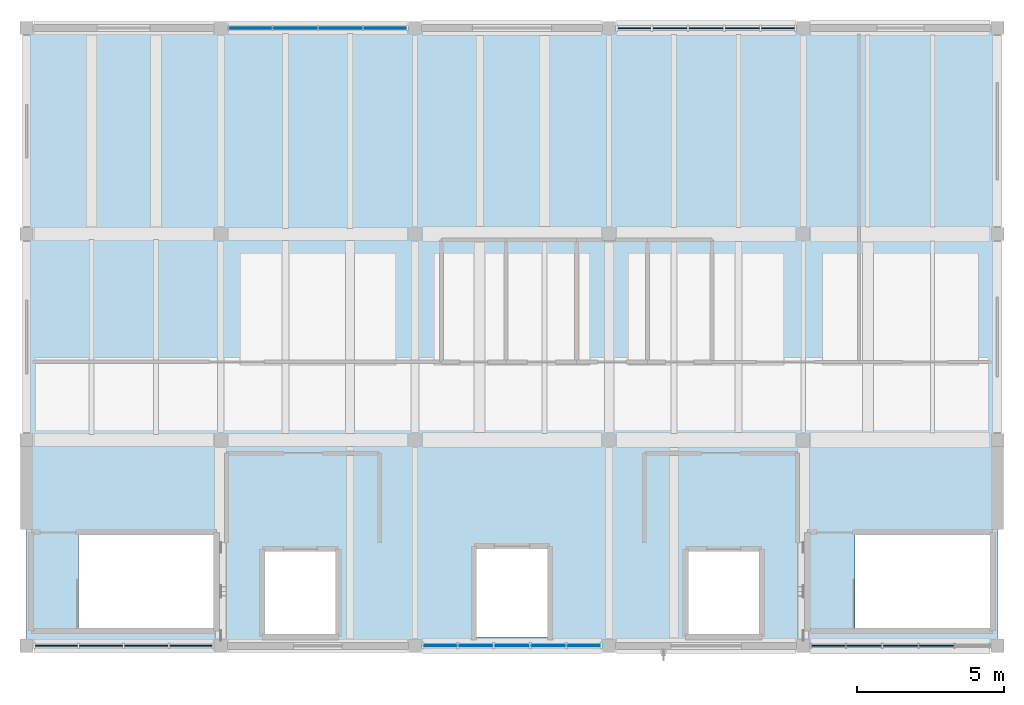
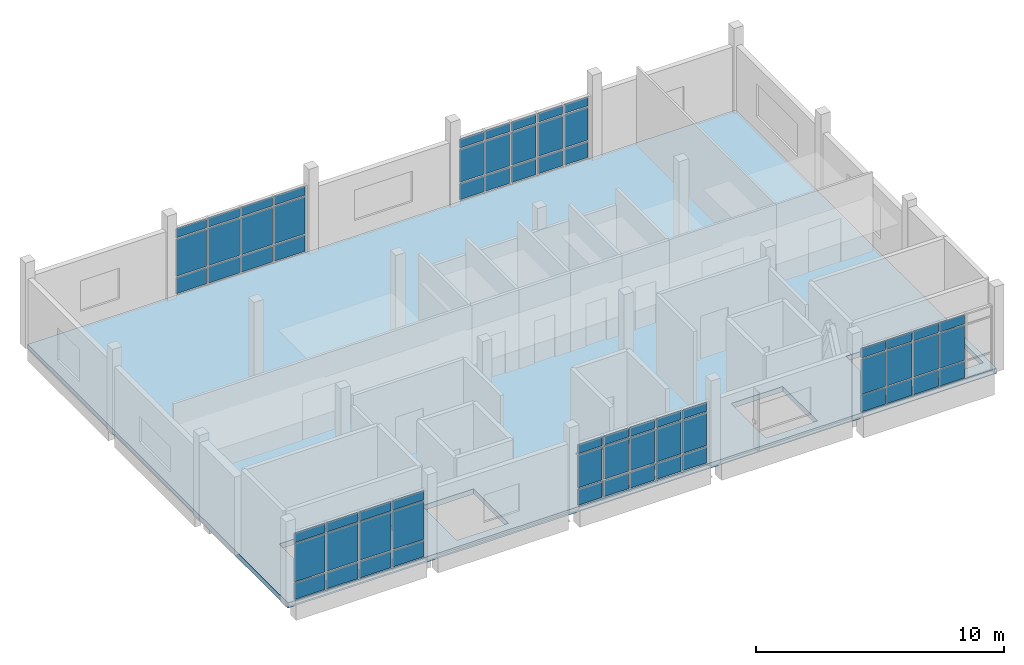
# One storey, part 6 of 10: 66 plates, 1 slab, 5 elements without a shape of their own.
"""IFC4 building model written with IfcOpenShell, lengths in metres."""

from ifc_helpers import new_model, si_unit, direction, frame, origin, origin_2d, place, context, subcontext, project, spatial, polyline, rectangle, outline, extrude, material, layer, layer_set, type_object, element, aggregate, save


model = new_model("IFC4")

# Units and contexts
model_context = context("Model", 3, precision=1e-05, world=origin(), true_north=direction((0.0, 1.0)))
body_context = subcontext(model_context, "Body", "Model", "MODEL_VIEW")
ifc_project = project(units=[si_unit("LENGTHUNIT", "METRE"), si_unit("AREAUNIT", "SQUARE_METRE"), si_unit("VOLUMEUNIT", "CUBIC_METRE"), si_unit("PLANEANGLEUNIT", "RADIAN"), si_unit("MASSUNIT", "GRAM", prefix="KILO")], contexts=[model_context])

# Site, building, storey
site_placement = place(None, origin())
site = spatial("IfcSite", under=ifc_project, at=site_placement, CompositionType="ELEMENT")
building_placement = place(site_placement, origin())
building = spatial("IfcBuilding", under=site, at=building_placement, Name="Ciguamira Faculty of Natural Sciences", CompositionType="ELEMENT")
storey_placement = place(building_placement, frame((0.0, 0.0, 46.199951171875)))
storey = spatial("IfcBuildingStorey", under=building, at=storey_placement, Name="L11", CompositionType="ELEMENT", Elevation=46.199951171875)

# Curtain wall, plates
ifc_material_1 = material(Name="Anodized aluminium curtain wall", Category="aluminium")
curtain_wall_type_1 = type_object("IfcCurtainWallType", Name="CurtainWall_CW-03", PredefinedType="USERDEFINED", material=ifc_material_1)
curtain_wall_1_placement = place(storey_placement, origin())
curtain_wall_1 = element("IfcCurtainWall", 1, at=curtain_wall_1_placement, inside=storey, type_object=curtain_wall_type_1, Name="L11 unitised curtain wall 0171", ObjectType="UNITISED CURTAIN WALL", PredefinedType="USERDEFINED")
ifc_material_2 = material(Name="Low-E laminated solar glass", Category="glass")
ifc_layer_1 = layer(ifc_material_2, 0.028076171875, Name="Low-E laminated solar glass")
ifc_layer_set_1 = layer_set([ifc_layer_1], Name="Low-E laminated solar glass")
plate_type_1 = type_object("IfcPlateType", Name="CWPanel_CWP-01", PredefinedType="CURTAIN_PANEL", material=ifc_layer_set_1)
plate_1_placement = place(storey_placement, frame((84.56005859375, 94.0, 0.080078125), z_axis=(0.0, 0.0, 1.0), x_axis=(1.0, 0.0, 0.0)))
plate_1 = element("IfcPlate", 2, at=plate_1_placement, type_object=plate_type_1, Name="CW-03 panel 1.1", PredefinedType="CURTAIN_PANEL", context=body_context, shape_type="SweptSolid", body=[
    extrude(rectangle(XDim=1.110107421875, YDim=0.028076171875, at=origin_2d()), origin(), (0.0, 0.0, 1.0), 0.780029296875),
])
plate_2_placement = place(storey_placement, frame((84.56005859375, 94.0, 0.93994140625), z_axis=(0.0, 0.0, 1.0), x_axis=(1.0, 0.0, 0.0)))
plate_2 = element("IfcPlate", 3, at=plate_2_placement, type_object=plate_type_1, Name="CW-03 panel 1.2", PredefinedType="CURTAIN_PANEL", context=body_context, shape_type="SweptSolid", body=[
    extrude(rectangle(XDim=1.110107421875, YDim=0.028076171875, at=origin_2d()), origin(), (0.0, 0.0, 1.0), 1.60498046875),
])
plate_3_placement = place(storey_placement, frame((84.56005859375, 94.0, 2.625), z_axis=(0.0, 0.0, 1.0), x_axis=(1.0, 0.0, 0.0)))
plate_3 = element("IfcPlate", 4, at=plate_3_placement, type_object=plate_type_1, Name="CW-03 panel 1.3", PredefinedType="CURTAIN_PANEL", context=body_context, shape_type="SweptSolid", body=[
    extrude(rectangle(XDim=1.110107421875, YDim=0.028076171875, at=origin_2d()), origin(), (0.0, 0.0, 1.0), 0.429931640625),
])
plate_4_placement = place(storey_placement, frame((85.77001953125, 94.0, 0.080078125), z_axis=(0.0, 0.0, 1.0), x_axis=(1.0, 0.0, 0.0)))
plate_4 = element("IfcPlate", 5, at=plate_4_placement, type_object=plate_type_1, Name="CW-03 panel 2.1", PredefinedType="CURTAIN_PANEL", context=body_context, shape_type="SweptSolid", body=[
    extrude(rectangle(XDim=1.14990234375, YDim=0.028076171875, at=origin_2d()), origin(), (0.0, 0.0, 1.0), 0.780029296875),
])
plate_5_placement = place(storey_placement, frame((85.77001953125, 94.0, 0.93994140625), z_axis=(0.0, 0.0, 1.0), x_axis=(1.0, 0.0, 0.0)))
plate_5 = element("IfcPlate", 6, at=plate_5_placement, type_object=plate_type_1, Name="CW-03 panel 2.2", PredefinedType="CURTAIN_PANEL", context=body_context, shape_type="SweptSolid", body=[
    extrude(rectangle(XDim=1.14990234375, YDim=0.028076171875, at=origin_2d()), origin(), (0.0, 0.0, 1.0), 1.60498046875),
])
plate_6_placement = place(storey_placement, frame((85.77001953125, 94.0, 2.625), z_axis=(0.0, 0.0, 1.0), x_axis=(1.0, 0.0, 0.0)))
plate_6 = element("IfcPlate", 7, at=plate_6_placement, type_object=plate_type_1, Name="CW-03 panel 2.3", PredefinedType="CURTAIN_PANEL", context=body_context, shape_type="SweptSolid", body=[
    extrude(rectangle(XDim=1.14990234375, YDim=0.028076171875, at=origin_2d()), origin(), (0.0, 0.0, 1.0), 0.429931640625),
])
plate_7_placement = place(storey_placement, frame((87.0, 94.0, 0.080078125), z_axis=(0.0, 0.0, 1.0), x_axis=(1.0, 0.0, 0.0)))
plate_7 = element("IfcPlate", 8, at=plate_7_placement, type_object=plate_type_1, Name="CW-03 panel 3.1", PredefinedType="CURTAIN_PANEL", context=body_context, shape_type="SweptSolid", body=[
    extrude(rectangle(XDim=1.14990234375, YDim=0.028076171875, at=origin_2d()), origin(), (0.0, 0.0, 1.0), 0.780029296875),
])
plate_8_placement = place(storey_placement, frame((87.0, 94.0, 0.93994140625), z_axis=(0.0, 0.0, 1.0), x_axis=(1.0, 0.0, 0.0)))
plate_8 = element("IfcPlate", 9, at=plate_8_placement, type_object=plate_type_1, Name="CW-03 panel 3.2", PredefinedType="CURTAIN_PANEL", context=body_context, shape_type="SweptSolid", body=[
    extrude(rectangle(XDim=1.14990234375, YDim=0.028076171875, at=origin_2d()), origin(), (0.0, 0.0, 1.0), 1.60498046875),
])
plate_9_placement = place(storey_placement, frame((87.0, 94.0, 2.625), z_axis=(0.0, 0.0, 1.0), x_axis=(1.0, 0.0, 0.0)))
plate_9 = element("IfcPlate", 10, at=plate_9_placement, type_object=plate_type_1, Name="CW-03 panel 3.3", PredefinedType="CURTAIN_PANEL", context=body_context, shape_type="SweptSolid", body=[
    extrude(rectangle(XDim=1.14990234375, YDim=0.028076171875, at=origin_2d()), origin(), (0.0, 0.0, 1.0), 0.429931640625),
])
plate_10_placement = place(storey_placement, frame((88.22998046875, 94.0, 0.080078125), z_axis=(0.0, 0.0, 1.0), x_axis=(1.0, 0.0, 0.0)))
plate_10 = element("IfcPlate", 11, at=plate_10_placement, type_object=plate_type_1, Name="CW-03 panel 4.1", PredefinedType="CURTAIN_PANEL", context=body_context, shape_type="SweptSolid", body=[
    extrude(rectangle(XDim=1.14990234375, YDim=0.028076171875, at=origin_2d()), origin(), (0.0, 0.0, 1.0), 0.780029296875),
])
plate_11_placement = place(storey_placement, frame((88.22998046875, 94.0, 0.93994140625), z_axis=(0.0, 0.0, 1.0), x_axis=(1.0, 0.0, 0.0)))
plate_11 = element("IfcPlate", 12, at=plate_11_placement, type_object=plate_type_1, Name="CW-03 panel 4.2", PredefinedType="CURTAIN_PANEL", context=body_context, shape_type="SweptSolid", body=[
    extrude(rectangle(XDim=1.14990234375, YDim=0.028076171875, at=origin_2d()), origin(), (0.0, 0.0, 1.0), 1.60498046875),
])
plate_12_placement = place(storey_placement, frame((88.22998046875, 94.0, 2.625), z_axis=(0.0, 0.0, 1.0), x_axis=(1.0, 0.0, 0.0)))
plate_12 = element("IfcPlate", 13, at=plate_12_placement, type_object=plate_type_1, Name="CW-03 panel 4.3", PredefinedType="CURTAIN_PANEL", context=body_context, shape_type="SweptSolid", body=[
    extrude(rectangle(XDim=1.14990234375, YDim=0.028076171875, at=origin_2d()), origin(), (0.0, 0.0, 1.0), 0.429931640625),
])
plate_13_placement = place(storey_placement, frame((89.43994140625, 94.0, 0.080078125), z_axis=(0.0, 0.0, 1.0), x_axis=(1.0, 0.0, 0.0)))
plate_13 = element("IfcPlate", 14, at=plate_13_placement, type_object=plate_type_1, Name="CW-03 panel 5.1", PredefinedType="CURTAIN_PANEL", context=body_context, shape_type="SweptSolid", body=[
    extrude(rectangle(XDim=1.110107421875, YDim=0.028076171875, at=origin_2d()), origin(), (0.0, 0.0, 1.0), 0.780029296875),
])
plate_14_placement = place(storey_placement, frame((89.43994140625, 94.0, 0.93994140625), z_axis=(0.0, 0.0, 1.0), x_axis=(1.0, 0.0, 0.0)))
plate_14 = element("IfcPlate", 15, at=plate_14_placement, type_object=plate_type_1, Name="CW-03 panel 5.2", PredefinedType="CURTAIN_PANEL", context=body_context, shape_type="SweptSolid", body=[
    extrude(rectangle(XDim=1.110107421875, YDim=0.028076171875, at=origin_2d()), origin(), (0.0, 0.0, 1.0), 1.60498046875),
])
plate_15_placement = place(storey_placement, frame((89.43994140625, 94.0, 2.625), z_axis=(0.0, 0.0, 1.0), x_axis=(1.0, 0.0, 0.0)))
plate_15 = element("IfcPlate", 16, at=plate_15_placement, type_object=plate_type_1, Name="CW-03 panel 5.3", PredefinedType="CURTAIN_PANEL", context=body_context, shape_type="SweptSolid", body=[
    extrude(rectangle(XDim=1.110107421875, YDim=0.028076171875, at=origin_2d()), origin(), (0.0, 0.0, 1.0), 0.429931640625),
])
aggregate(curtain_wall_1, [plate_1, plate_2, plate_3, plate_4, plate_5, plate_6, plate_7, plate_8, plate_9, plate_10, plate_11, plate_12, plate_13, plate_14, plate_15])

curtain_wall_type_2 = type_object("IfcCurtainWallType", Name="CurtainWall_CW-05", PredefinedType="USERDEFINED", material=ifc_material_1)
curtain_wall_2_placement = place(storey_placement, origin())
curtain_wall_2 = element("IfcCurtainWall", 17, at=curtain_wall_2_placement, inside=storey, type_object=curtain_wall_type_2, Name="L11 unitised curtain wall 0173", ObjectType="UNITISED CURTAIN WALL", PredefinedType="USERDEFINED")
plate_16_placement = place(storey_placement, frame((78.111328125, 115.0, 0.070068359375), z_axis=(0.0, 0.0, 1.0), x_axis=(1.0, 0.0, 0.0)))
plate_16 = element("IfcPlate", 18, at=plate_16_placement, type_object=plate_type_1, Name="CW-05 panel 1.1", PredefinedType="CURTAIN_PANEL", context=body_context, shape_type="SweptSolid", body=[
    extrude(rectangle(XDim=1.4326171875, YDim=0.028076171875, at=origin_2d()), origin(), (0.0, 0.0, 1.0), 0.794921875),
])
plate_17_placement = place(storey_placement, frame((78.111328125, 115.0, 0.93505859375), z_axis=(0.0, 0.0, 1.0), x_axis=(1.0, 0.0, 0.0)))
plate_17 = element("IfcPlate", 19, at=plate_17_placement, type_object=plate_type_1, Name="CW-05 panel 1.2", PredefinedType="CURTAIN_PANEL", context=body_context, shape_type="SweptSolid", body=[
    extrude(rectangle(XDim=1.4326171875, YDim=0.028076171875, at=origin_2d()), origin(), (0.0, 0.0, 1.0), 1.824951171875),
])
plate_18_placement = place(storey_placement, frame((78.111328125, 115.0, 2.830078125), z_axis=(0.0, 0.0, 1.0), x_axis=(1.0, 0.0, 0.0)))
plate_18 = element("IfcPlate", 20, at=plate_18_placement, type_object=plate_type_1, Name="CW-05 panel 1.3", PredefinedType="CURTAIN_PANEL", context=body_context, shape_type="SweptSolid", body=[
    extrude(rectangle(XDim=1.4326171875, YDim=0.028076171875, at=origin_2d()), origin(), (0.0, 0.0, 1.0), 0.445068359375),
])
plate_19_placement = place(storey_placement, frame((79.63134765625, 115.0, 0.070068359375), z_axis=(0.0, 0.0, 1.0), x_axis=(1.0, 0.0, 0.0)))
plate_19 = element("IfcPlate", 21, at=plate_19_placement, type_object=plate_type_1, Name="CW-05 panel 2.1", PredefinedType="CURTAIN_PANEL", context=body_context, shape_type="SweptSolid", body=[
    extrude(rectangle(XDim=1.467529296875, YDim=0.028076171875, at=origin_2d()), origin(), (0.0, 0.0, 1.0), 0.794921875),
])
plate_20_placement = place(storey_placement, frame((79.63134765625, 115.0, 0.93505859375), z_axis=(0.0, 0.0, 1.0), x_axis=(1.0, 0.0, 0.0)))
plate_20 = element("IfcPlate", 22, at=plate_20_placement, type_object=plate_type_1, Name="CW-05 panel 2.2", PredefinedType="CURTAIN_PANEL", context=body_context, shape_type="SweptSolid", body=[
    extrude(rectangle(XDim=1.467529296875, YDim=0.028076171875, at=origin_2d()), origin(), (0.0, 0.0, 1.0), 1.824951171875),
])
plate_21_placement = place(storey_placement, frame((79.63134765625, 115.0, 2.830078125), z_axis=(0.0, 0.0, 1.0), x_axis=(1.0, 0.0, 0.0)))
plate_21 = element("IfcPlate", 23, at=plate_21_placement, type_object=plate_type_1, Name="CW-05 panel 2.3", PredefinedType="CURTAIN_PANEL", context=body_context, shape_type="SweptSolid", body=[
    extrude(rectangle(XDim=1.467529296875, YDim=0.028076171875, at=origin_2d()), origin(), (0.0, 0.0, 1.0), 0.445068359375),
])
plate_22_placement = place(storey_placement, frame((81.168701171875, 115.0, 0.070068359375), z_axis=(0.0, 0.0, 1.0), x_axis=(1.0, 0.0, 0.0)))
plate_22 = element("IfcPlate", 24, at=plate_22_placement, type_object=plate_type_1, Name="CW-05 panel 3.1", PredefinedType="CURTAIN_PANEL", context=body_context, shape_type="SweptSolid", body=[
    extrude(rectangle(XDim=1.467529296875, YDim=0.028076171875, at=origin_2d()), origin(), (0.0, 0.0, 1.0), 0.794921875),
])
plate_23_placement = place(storey_placement, frame((81.168701171875, 115.0, 0.93505859375), z_axis=(0.0, 0.0, 1.0), x_axis=(1.0, 0.0, 0.0)))
plate_23 = element("IfcPlate", 25, at=plate_23_placement, type_object=plate_type_1, Name="CW-05 panel 3.2", PredefinedType="CURTAIN_PANEL", context=body_context, shape_type="SweptSolid", body=[
    extrude(rectangle(XDim=1.467529296875, YDim=0.028076171875, at=origin_2d()), origin(), (0.0, 0.0, 1.0), 1.824951171875),
])
plate_24_placement = place(storey_placement, frame((81.168701171875, 115.0, 2.830078125), z_axis=(0.0, 0.0, 1.0), x_axis=(1.0, 0.0, 0.0)))
plate_24 = element("IfcPlate", 26, at=plate_24_placement, type_object=plate_type_1, Name="CW-05 panel 3.3", PredefinedType="CURTAIN_PANEL", context=body_context, shape_type="SweptSolid", body=[
    extrude(rectangle(XDim=1.467529296875, YDim=0.028076171875, at=origin_2d()), origin(), (0.0, 0.0, 1.0), 0.445068359375),
])
plate_25_placement = place(storey_placement, frame((82.688720703125, 115.0, 0.070068359375), z_axis=(0.0, 0.0, 1.0), x_axis=(1.0, 0.0, 0.0)))
plate_25 = element("IfcPlate", 27, at=plate_25_placement, type_object=plate_type_1, Name="CW-05 panel 4.1", PredefinedType="CURTAIN_PANEL", context=body_context, shape_type="SweptSolid", body=[
    extrude(rectangle(XDim=1.4326171875, YDim=0.028076171875, at=origin_2d()), origin(), (0.0, 0.0, 1.0), 0.794921875),
])
plate_26_placement = place(storey_placement, frame((82.688720703125, 115.0, 0.93505859375), z_axis=(0.0, 0.0, 1.0), x_axis=(1.0, 0.0, 0.0)))
plate_26 = element("IfcPlate", 28, at=plate_26_placement, type_object=plate_type_1, Name="CW-05 panel 4.2", PredefinedType="CURTAIN_PANEL", context=body_context, shape_type="SweptSolid", body=[
    extrude(rectangle(XDim=1.4326171875, YDim=0.028076171875, at=origin_2d()), origin(), (0.0, 0.0, 1.0), 1.824951171875),
])
plate_27_placement = place(storey_placement, frame((82.688720703125, 115.0, 2.830078125), z_axis=(0.0, 0.0, 1.0), x_axis=(1.0, 0.0, 0.0)))
plate_27 = element("IfcPlate", 29, at=plate_27_placement, type_object=plate_type_1, Name="CW-05 panel 4.3", PredefinedType="CURTAIN_PANEL", context=body_context, shape_type="SweptSolid", body=[
    extrude(rectangle(XDim=1.4326171875, YDim=0.028076171875, at=origin_2d()), origin(), (0.0, 0.0, 1.0), 0.445068359375),
])
aggregate(curtain_wall_2, [plate_16, plate_17, plate_18, plate_19, plate_20, plate_21, plate_22, plate_23, plate_24, plate_25, plate_26, plate_27])

curtain_wall_type_3 = type_object("IfcCurtainWallType", Name="CurtainWall_CW-02", PredefinedType="USERDEFINED", material=ifc_material_1)
curtain_wall_3_placement = place(storey_placement, origin())
curtain_wall_3 = element("IfcCurtainWall", 30, at=curtain_wall_3_placement, inside=storey, type_object=curtain_wall_type_3, Name="L11 unitised curtain wall 0170", ObjectType="UNITISED CURTAIN WALL", PredefinedType="USERDEFINED")
ifc_layer_2 = layer(ifc_material_2, 0.035888671875, Name="Low-E laminated solar glass")
ifc_layer_set_2 = layer_set([ifc_layer_2], Name="Low-E laminated solar glass")
plate_type_2 = type_object("IfcPlateType", Name="CWPanel_CWP-02", PredefinedType="CURTAIN_PANEL", material=ifc_layer_set_2)
plate_28_placement = place(storey_placement, frame((71.51123046875, 94.0, 0.070068359375), z_axis=(0.0, 0.0, 1.0), x_axis=(1.0, 0.0, 0.0)))
plate_28 = element("IfcPlate", 31, at=plate_28_placement, type_object=plate_type_2, Name="CW-02 panel 1.1", PredefinedType="CURTAIN_PANEL", context=body_context, shape_type="SweptSolid", body=[
    extrude(rectangle(XDim=1.4326171875, YDim=0.035888671875, at=origin_2d()), origin(), (0.0, 0.0, 1.0), 0.794921875),
])
plate_29_placement = place(storey_placement, frame((71.51123046875, 94.0, 0.93505859375), z_axis=(0.0, 0.0, 1.0), x_axis=(1.0, 0.0, 0.0)))
plate_29 = element("IfcPlate", 32, at=plate_29_placement, type_object=plate_type_2, Name="CW-02 panel 1.2", PredefinedType="CURTAIN_PANEL", context=body_context, shape_type="SweptSolid", body=[
    extrude(rectangle(XDim=1.4326171875, YDim=0.035888671875, at=origin_2d()), origin(), (0.0, 0.0, 1.0), 1.864990234375),
])
plate_30_placement = place(storey_placement, frame((71.51123046875, 94.0, 2.8701171875), z_axis=(0.0, 0.0, 1.0), x_axis=(1.0, 0.0, 0.0)))
plate_30 = element("IfcPlate", 33, at=plate_30_placement, type_object=plate_type_2, Name="CW-02 panel 1.3", PredefinedType="CURTAIN_PANEL", context=body_context, shape_type="SweptSolid", body=[
    extrude(rectangle(XDim=1.4326171875, YDim=0.035888671875, at=origin_2d()), origin(), (0.0, 0.0, 1.0), 0.445068359375),
])
plate_31_placement = place(storey_placement, frame((73.03125, 94.0, 0.070068359375), z_axis=(0.0, 0.0, 1.0), x_axis=(1.0, 0.0, 0.0)))
plate_31 = element("IfcPlate", 34, at=plate_31_placement, type_object=plate_type_2, Name="CW-02 panel 2.1", PredefinedType="CURTAIN_PANEL", context=body_context, shape_type="SweptSolid", body=[
    extrude(rectangle(XDim=1.467529296875, YDim=0.035888671875, at=origin_2d()), origin(), (0.0, 0.0, 1.0), 0.794921875),
])
plate_32_placement = place(storey_placement, frame((73.03125, 94.0, 0.93505859375), z_axis=(0.0, 0.0, 1.0), x_axis=(1.0, 0.0, 0.0)))
plate_32 = element("IfcPlate", 35, at=plate_32_placement, type_object=plate_type_2, Name="CW-02 panel 2.2", PredefinedType="CURTAIN_PANEL", context=body_context, shape_type="SweptSolid", body=[
    extrude(rectangle(XDim=1.467529296875, YDim=0.035888671875, at=origin_2d()), origin(), (0.0, 0.0, 1.0), 1.864990234375),
])
plate_33_placement = place(storey_placement, frame((73.03125, 94.0, 2.8701171875), z_axis=(0.0, 0.0, 1.0), x_axis=(1.0, 0.0, 0.0)))
plate_33 = element("IfcPlate", 36, at=plate_33_placement, type_object=plate_type_2, Name="CW-02 panel 2.3", PredefinedType="CURTAIN_PANEL", context=body_context, shape_type="SweptSolid", body=[
    extrude(rectangle(XDim=1.467529296875, YDim=0.035888671875, at=origin_2d()), origin(), (0.0, 0.0, 1.0), 0.445068359375),
])
plate_34_placement = place(storey_placement, frame((74.56884765625, 94.0, 0.070068359375), z_axis=(0.0, 0.0, 1.0), x_axis=(1.0, 0.0, 0.0)))
plate_34 = element("IfcPlate", 37, at=plate_34_placement, type_object=plate_type_2, Name="CW-02 panel 3.1", PredefinedType="CURTAIN_PANEL", context=body_context, shape_type="SweptSolid", body=[
    extrude(rectangle(XDim=1.467529296875, YDim=0.035888671875, at=origin_2d()), origin(), (0.0, 0.0, 1.0), 0.794921875),
])
plate_35_placement = place(storey_placement, frame((74.56884765625, 94.0, 0.93505859375), z_axis=(0.0, 0.0, 1.0), x_axis=(1.0, 0.0, 0.0)))
plate_35 = element("IfcPlate", 38, at=plate_35_placement, type_object=plate_type_2, Name="CW-02 panel 3.2", PredefinedType="CURTAIN_PANEL", context=body_context, shape_type="SweptSolid", body=[
    extrude(rectangle(XDim=1.467529296875, YDim=0.035888671875, at=origin_2d()), origin(), (0.0, 0.0, 1.0), 1.864990234375),
])
plate_36_placement = place(storey_placement, frame((74.56884765625, 94.0, 2.8701171875), z_axis=(0.0, 0.0, 1.0), x_axis=(1.0, 0.0, 0.0)))
plate_36 = element("IfcPlate", 39, at=plate_36_placement, type_object=plate_type_2, Name="CW-02 panel 3.3", PredefinedType="CURTAIN_PANEL", context=body_context, shape_type="SweptSolid", body=[
    extrude(rectangle(XDim=1.467529296875, YDim=0.035888671875, at=origin_2d()), origin(), (0.0, 0.0, 1.0), 0.445068359375),
])
plate_37_placement = place(storey_placement, frame((76.0888671875, 94.0, 0.070068359375), z_axis=(0.0, 0.0, 1.0), x_axis=(1.0, 0.0, 0.0)))
plate_37 = element("IfcPlate", 40, at=plate_37_placement, type_object=plate_type_2, Name="CW-02 panel 4.1", PredefinedType="CURTAIN_PANEL", context=body_context, shape_type="SweptSolid", body=[
    extrude(rectangle(XDim=1.4326171875, YDim=0.035888671875, at=origin_2d()), origin(), (0.0, 0.0, 1.0), 0.794921875),
])
plate_38_placement = place(storey_placement, frame((76.0888671875, 94.0, 0.93505859375), z_axis=(0.0, 0.0, 1.0), x_axis=(1.0, 0.0, 0.0)))
plate_38 = element("IfcPlate", 41, at=plate_38_placement, type_object=plate_type_2, Name="CW-02 panel 4.2", PredefinedType="CURTAIN_PANEL", context=body_context, shape_type="SweptSolid", body=[
    extrude(rectangle(XDim=1.4326171875, YDim=0.035888671875, at=origin_2d()), origin(), (0.0, 0.0, 1.0), 1.864990234375),
])
plate_39_placement = place(storey_placement, frame((76.0888671875, 94.0, 2.8701171875), z_axis=(0.0, 0.0, 1.0), x_axis=(1.0, 0.0, 0.0)))
plate_39 = element("IfcPlate", 42, at=plate_39_placement, type_object=plate_type_2, Name="CW-02 panel 4.3", PredefinedType="CURTAIN_PANEL", context=body_context, shape_type="SweptSolid", body=[
    extrude(rectangle(XDim=1.4326171875, YDim=0.035888671875, at=origin_2d()), origin(), (0.0, 0.0, 1.0), 0.445068359375),
])
aggregate(curtain_wall_3, [plate_28, plate_29, plate_30, plate_31, plate_32, plate_33, plate_34, plate_35, plate_36, plate_37, plate_38, plate_39])

curtain_wall_type_4 = type_object("IfcCurtainWallType", Name="CurtainWall_CW-04", PredefinedType="USERDEFINED", material=ifc_material_1)
curtain_wall_4_placement = place(storey_placement, origin())
curtain_wall_4 = element("IfcCurtainWall", 43, at=curtain_wall_4_placement, inside=storey, type_object=curtain_wall_type_4, Name="L11 unitised curtain wall 0172", ObjectType="UNITISED CURTAIN WALL", PredefinedType="USERDEFINED")
plate_40_placement = place(storey_placement, frame((97.7548828125, 94.0, 0.06005859375), z_axis=(0.0, 0.0, 1.0), x_axis=(1.0, 0.0, 0.0)))
plate_40 = element("IfcPlate", 44, at=plate_40_placement, type_object=plate_type_2, Name="CW-04 panel 1.1", PredefinedType="CURTAIN_PANEL", context=body_context, shape_type="SweptSolid", body=[
    extrude(rectangle(XDim=1.139892578125, YDim=0.035888671875, at=origin_2d()), origin(), (0.0, 0.0, 1.0), 0.81005859375),
])
plate_41_placement = place(storey_placement, frame((97.7548828125, 94.0, 0.929931640625), z_axis=(0.0, 0.0, 1.0), x_axis=(1.0, 0.0, 0.0)))
plate_41 = element("IfcPlate", 45, at=plate_41_placement, type_object=plate_type_2, Name="CW-04 panel 1.2", PredefinedType="CURTAIN_PANEL", context=body_context, shape_type="SweptSolid", body=[
    extrude(rectangle(XDim=1.139892578125, YDim=0.035888671875, at=origin_2d()), origin(), (0.0, 0.0, 1.0), 1.72509765625),
])
plate_42_placement = place(storey_placement, frame((97.7548828125, 94.0, 2.715087890625), z_axis=(0.0, 0.0, 1.0), x_axis=(1.0, 0.0, 0.0)))
plate_42 = element("IfcPlate", 46, at=plate_42_placement, type_object=plate_type_2, Name="CW-04 panel 1.3", PredefinedType="CURTAIN_PANEL", context=body_context, shape_type="SweptSolid", body=[
    extrude(rectangle(XDim=1.139892578125, YDim=0.035888671875, at=origin_2d()), origin(), (0.0, 0.0, 1.0), 0.4599609375),
])
plate_43_placement = place(storey_placement, frame((98.969970703125, 94.0, 0.06005859375), z_axis=(0.0, 0.0, 1.0), x_axis=(1.0, 0.0, 0.0)))
plate_43 = element("IfcPlate", 47, at=plate_43_placement, type_object=plate_type_2, Name="CW-04 panel 2.1", PredefinedType="CURTAIN_PANEL", context=body_context, shape_type="SweptSolid", body=[
    extrude(rectangle(XDim=1.169921875, YDim=0.035888671875, at=origin_2d()), origin(), (0.0, 0.0, 1.0), 0.81005859375),
])
plate_44_placement = place(storey_placement, frame((98.969970703125, 94.0, 0.929931640625), z_axis=(0.0, 0.0, 1.0), x_axis=(1.0, 0.0, 0.0)))
plate_44 = element("IfcPlate", 48, at=plate_44_placement, type_object=plate_type_2, Name="CW-04 panel 2.2", PredefinedType="CURTAIN_PANEL", context=body_context, shape_type="SweptSolid", body=[
    extrude(rectangle(XDim=1.169921875, YDim=0.035888671875, at=origin_2d()), origin(), (0.0, 0.0, 1.0), 1.72509765625),
])
plate_45_placement = place(storey_placement, frame((98.969970703125, 94.0, 2.715087890625), z_axis=(0.0, 0.0, 1.0), x_axis=(1.0, 0.0, 0.0)))
plate_45 = element("IfcPlate", 49, at=plate_45_placement, type_object=plate_type_2, Name="CW-04 panel 2.3", PredefinedType="CURTAIN_PANEL", context=body_context, shape_type="SweptSolid", body=[
    extrude(rectangle(XDim=1.169921875, YDim=0.035888671875, at=origin_2d()), origin(), (0.0, 0.0, 1.0), 0.4599609375),
])
plate_46_placement = place(storey_placement, frame((100.199951171875, 94.0, 0.06005859375), z_axis=(0.0, 0.0, 1.0), x_axis=(1.0, 0.0, 0.0)))
plate_46 = element("IfcPlate", 50, at=plate_46_placement, type_object=plate_type_2, Name="CW-04 panel 3.1", PredefinedType="CURTAIN_PANEL", context=body_context, shape_type="SweptSolid", body=[
    extrude(rectangle(XDim=1.169921875, YDim=0.035888671875, at=origin_2d()), origin(), (0.0, 0.0, 1.0), 0.81005859375),
])
plate_47_placement = place(storey_placement, frame((100.199951171875, 94.0, 0.929931640625), z_axis=(0.0, 0.0, 1.0), x_axis=(1.0, 0.0, 0.0)))
plate_47 = element("IfcPlate", 51, at=plate_47_placement, type_object=plate_type_2, Name="CW-04 panel 3.2", PredefinedType="CURTAIN_PANEL", context=body_context, shape_type="SweptSolid", body=[
    extrude(rectangle(XDim=1.169921875, YDim=0.035888671875, at=origin_2d()), origin(), (0.0, 0.0, 1.0), 1.72509765625),
])
plate_48_placement = place(storey_placement, frame((100.199951171875, 94.0, 2.715087890625), z_axis=(0.0, 0.0, 1.0), x_axis=(1.0, 0.0, 0.0)))
plate_48 = element("IfcPlate", 52, at=plate_48_placement, type_object=plate_type_2, Name="CW-04 panel 3.3", PredefinedType="CURTAIN_PANEL", context=body_context, shape_type="SweptSolid", body=[
    extrude(rectangle(XDim=1.169921875, YDim=0.035888671875, at=origin_2d()), origin(), (0.0, 0.0, 1.0), 0.4599609375),
])
plate_49_placement = place(storey_placement, frame((101.429931640625, 94.0, 0.06005859375), z_axis=(0.0, 0.0, 1.0), x_axis=(1.0, 0.0, 0.0)))
plate_49 = element("IfcPlate", 53, at=plate_49_placement, type_object=plate_type_2, Name="CW-04 panel 4.1", PredefinedType="CURTAIN_PANEL", context=body_context, shape_type="SweptSolid", body=[
    extrude(rectangle(XDim=1.169921875, YDim=0.035888671875, at=origin_2d()), origin(), (0.0, 0.0, 1.0), 0.81005859375),
])
plate_50_placement = place(storey_placement, frame((101.429931640625, 94.0, 0.929931640625), z_axis=(0.0, 0.0, 1.0), x_axis=(1.0, 0.0, 0.0)))
plate_50 = element("IfcPlate", 54, at=plate_50_placement, type_object=plate_type_2, Name="CW-04 panel 4.2", PredefinedType="CURTAIN_PANEL", context=body_context, shape_type="SweptSolid", body=[
    extrude(rectangle(XDim=1.169921875, YDim=0.035888671875, at=origin_2d()), origin(), (0.0, 0.0, 1.0), 1.72509765625),
])
plate_51_placement = place(storey_placement, frame((101.429931640625, 94.0, 2.715087890625), z_axis=(0.0, 0.0, 1.0), x_axis=(1.0, 0.0, 0.0)))
plate_51 = element("IfcPlate", 55, at=plate_51_placement, type_object=plate_type_2, Name="CW-04 panel 4.3", PredefinedType="CURTAIN_PANEL", context=body_context, shape_type="SweptSolid", body=[
    extrude(rectangle(XDim=1.169921875, YDim=0.035888671875, at=origin_2d()), origin(), (0.0, 0.0, 1.0), 0.4599609375),
])
aggregate(curtain_wall_4, [plate_40, plate_41, plate_42, plate_43, plate_44, plate_45, plate_46, plate_47, plate_48, plate_49, plate_50, plate_51])

curtain_wall_type_5 = type_object("IfcCurtainWallType", Name="CurtainWall_CW-06", PredefinedType="USERDEFINED", material=ifc_material_1)
curtain_wall_5_placement = place(storey_placement, origin())
curtain_wall_5 = element("IfcCurtainWall", 56, at=curtain_wall_5_placement, inside=storey, type_object=curtain_wall_type_5, Name="L11 unitised curtain wall 0174", ObjectType="UNITISED CURTAIN WALL", PredefinedType="USERDEFINED")
plate_52_placement = place(storey_placement, frame((91.159912109375, 115.0, 0.080078125), z_axis=(0.0, 0.0, 1.0), x_axis=(1.0, 0.0, 0.0)))
plate_52 = element("IfcPlate", 57, at=plate_52_placement, type_object=plate_type_2, Name="CW-06 panel 1.1", PredefinedType="CURTAIN_PANEL", context=body_context, shape_type="SweptSolid", body=[
    extrude(rectangle(XDim=1.110107421875, YDim=0.035888671875, at=origin_2d()), origin(), (0.0, 0.0, 1.0), 0.780029296875),
])
plate_53_placement = place(storey_placement, frame((91.159912109375, 115.0, 0.93994140625), z_axis=(0.0, 0.0, 1.0), x_axis=(1.0, 0.0, 0.0)))
plate_53 = element("IfcPlate", 58, at=plate_53_placement, type_object=plate_type_2, Name="CW-06 panel 1.2", PredefinedType="CURTAIN_PANEL", context=body_context, shape_type="SweptSolid", body=[
    extrude(rectangle(XDim=1.110107421875, YDim=0.035888671875, at=origin_2d()), origin(), (0.0, 0.0, 1.0), 1.60498046875),
])
plate_54_placement = place(storey_placement, frame((91.159912109375, 115.0, 2.625), z_axis=(0.0, 0.0, 1.0), x_axis=(1.0, 0.0, 0.0)))
plate_54 = element("IfcPlate", 59, at=plate_54_placement, type_object=plate_type_2, Name="CW-06 panel 1.3", PredefinedType="CURTAIN_PANEL", context=body_context, shape_type="SweptSolid", body=[
    extrude(rectangle(XDim=1.110107421875, YDim=0.035888671875, at=origin_2d()), origin(), (0.0, 0.0, 1.0), 0.429931640625),
])
plate_55_placement = place(storey_placement, frame((92.3701171875, 115.0, 0.080078125), z_axis=(0.0, 0.0, 1.0), x_axis=(1.0, 0.0, 0.0)))
plate_55 = element("IfcPlate", 60, at=plate_55_placement, type_object=plate_type_2, Name="CW-06 panel 2.1", PredefinedType="CURTAIN_PANEL", context=body_context, shape_type="SweptSolid", body=[
    extrude(rectangle(XDim=1.14990234375, YDim=0.035888671875, at=origin_2d()), origin(), (0.0, 0.0, 1.0), 0.780029296875),
])
plate_56_placement = place(storey_placement, frame((92.3701171875, 115.0, 0.93994140625), z_axis=(0.0, 0.0, 1.0), x_axis=(1.0, 0.0, 0.0)))
plate_56 = element("IfcPlate", 61, at=plate_56_placement, type_object=plate_type_2, Name="CW-06 panel 2.2", PredefinedType="CURTAIN_PANEL", context=body_context, shape_type="SweptSolid", body=[
    extrude(rectangle(XDim=1.14990234375, YDim=0.035888671875, at=origin_2d()), origin(), (0.0, 0.0, 1.0), 1.60498046875),
])
plate_57_placement = place(storey_placement, frame((92.3701171875, 115.0, 2.625), z_axis=(0.0, 0.0, 1.0), x_axis=(1.0, 0.0, 0.0)))
plate_57 = element("IfcPlate", 62, at=plate_57_placement, type_object=plate_type_2, Name="CW-06 panel 2.3", PredefinedType="CURTAIN_PANEL", context=body_context, shape_type="SweptSolid", body=[
    extrude(rectangle(XDim=1.14990234375, YDim=0.035888671875, at=origin_2d()), origin(), (0.0, 0.0, 1.0), 0.429931640625),
])
plate_58_placement = place(storey_placement, frame((93.60009765625, 115.0, 0.080078125), z_axis=(0.0, 0.0, 1.0), x_axis=(1.0, 0.0, 0.0)))
plate_58 = element("IfcPlate", 63, at=plate_58_placement, type_object=plate_type_2, Name="CW-06 panel 3.1", PredefinedType="CURTAIN_PANEL", context=body_context, shape_type="SweptSolid", body=[
    extrude(rectangle(XDim=1.14990234375, YDim=0.035888671875, at=origin_2d()), origin(), (0.0, 0.0, 1.0), 0.780029296875),
])
plate_59_placement = place(storey_placement, frame((93.60009765625, 115.0, 0.93994140625), z_axis=(0.0, 0.0, 1.0), x_axis=(1.0, 0.0, 0.0)))
plate_59 = element("IfcPlate", 64, at=plate_59_placement, type_object=plate_type_2, Name="CW-06 panel 3.2", PredefinedType="CURTAIN_PANEL", context=body_context, shape_type="SweptSolid", body=[
    extrude(rectangle(XDim=1.14990234375, YDim=0.035888671875, at=origin_2d()), origin(), (0.0, 0.0, 1.0), 1.60498046875),
])
plate_60_placement = place(storey_placement, frame((93.60009765625, 115.0, 2.625), z_axis=(0.0, 0.0, 1.0), x_axis=(1.0, 0.0, 0.0)))
plate_60 = element("IfcPlate", 65, at=plate_60_placement, type_object=plate_type_2, Name="CW-06 panel 3.3", PredefinedType="CURTAIN_PANEL", context=body_context, shape_type="SweptSolid", body=[
    extrude(rectangle(XDim=1.14990234375, YDim=0.035888671875, at=origin_2d()), origin(), (0.0, 0.0, 1.0), 0.429931640625),
])
plate_61_placement = place(storey_placement, frame((94.830078125, 115.0, 0.080078125), z_axis=(0.0, 0.0, 1.0), x_axis=(1.0, 0.0, 0.0)))
plate_61 = element("IfcPlate", 66, at=plate_61_placement, type_object=plate_type_2, Name="CW-06 panel 4.1", PredefinedType="CURTAIN_PANEL", context=body_context, shape_type="SweptSolid", body=[
    extrude(rectangle(XDim=1.14990234375, YDim=0.035888671875, at=origin_2d()), origin(), (0.0, 0.0, 1.0), 0.780029296875),
])
plate_62_placement = place(storey_placement, frame((94.830078125, 115.0, 0.93994140625), z_axis=(0.0, 0.0, 1.0), x_axis=(1.0, 0.0, 0.0)))
plate_62 = element("IfcPlate", 67, at=plate_62_placement, type_object=plate_type_2, Name="CW-06 panel 4.2", PredefinedType="CURTAIN_PANEL", context=body_context, shape_type="SweptSolid", body=[
    extrude(rectangle(XDim=1.14990234375, YDim=0.035888671875, at=origin_2d()), origin(), (0.0, 0.0, 1.0), 1.60498046875),
])
plate_63_placement = place(storey_placement, frame((94.830078125, 115.0, 2.625), z_axis=(0.0, 0.0, 1.0), x_axis=(1.0, 0.0, 0.0)))
plate_63 = element("IfcPlate", 68, at=plate_63_placement, type_object=plate_type_2, Name="CW-06 panel 4.3", PredefinedType="CURTAIN_PANEL", context=body_context, shape_type="SweptSolid", body=[
    extrude(rectangle(XDim=1.14990234375, YDim=0.035888671875, at=origin_2d()), origin(), (0.0, 0.0, 1.0), 0.429931640625),
])
plate_64_placement = place(storey_placement, frame((96.0400390625, 115.0, 0.080078125), z_axis=(0.0, 0.0, 1.0), x_axis=(1.0, 0.0, 0.0)))
plate_64 = element("IfcPlate", 69, at=plate_64_placement, type_object=plate_type_2, Name="CW-06 panel 5.1", PredefinedType="CURTAIN_PANEL", context=body_context, shape_type="SweptSolid", body=[
    extrude(rectangle(XDim=1.110107421875, YDim=0.035888671875, at=origin_2d()), origin(), (0.0, 0.0, 1.0), 0.780029296875),
])
plate_65_placement = place(storey_placement, frame((96.0400390625, 115.0, 0.93994140625), z_axis=(0.0, 0.0, 1.0), x_axis=(1.0, 0.0, 0.0)))
plate_65 = element("IfcPlate", 70, at=plate_65_placement, type_object=plate_type_2, Name="CW-06 panel 5.2", PredefinedType="CURTAIN_PANEL", context=body_context, shape_type="SweptSolid", body=[
    extrude(rectangle(XDim=1.110107421875, YDim=0.035888671875, at=origin_2d()), origin(), (0.0, 0.0, 1.0), 1.60498046875),
])
plate_66_placement = place(storey_placement, frame((96.0400390625, 115.0, 2.625), z_axis=(0.0, 0.0, 1.0), x_axis=(1.0, 0.0, 0.0)))
plate_66 = element("IfcPlate", 71, at=plate_66_placement, type_object=plate_type_2, Name="CW-06 panel 5.3", PredefinedType="CURTAIN_PANEL", context=body_context, shape_type="SweptSolid", body=[
    extrude(rectangle(XDim=1.110107421875, YDim=0.035888671875, at=origin_2d()), origin(), (0.0, 0.0, 1.0), 0.429931640625),
])
aggregate(curtain_wall_5, [plate_52, plate_53, plate_54, plate_55, plate_56, plate_57, plate_58, plate_59, plate_60, plate_61, plate_62, plate_63, plate_64, plate_65, plate_66])

# Slab
ifc_material_3 = material(Name="Concrete C40/50", Category="concrete")
ifc_layer_3 = layer(ifc_material_3, 0.260009765625, Name="Concrete C40/50")
ifc_layer_set_3 = layer_set([ifc_layer_3], Name="Concrete C40/50")
slab_type = type_object("IfcSlabType", Name="Slab_SF-04_260", PredefinedType="FLOOR", material=ifc_layer_set_3)
slab_placement = place(storey_placement, frame((0.0, 0.0, -0.260009765625)))
element("IfcSlab", 72, at=slab_placement, inside=storey, type_object=slab_type, Name="L11 V5 structural slab", PredefinedType="FLOOR", context=body_context, shape_type="SweptSolid", body=[
    extrude(outline(polyline([(70.5, 94.0), (103.5, 94.0), (103.5, 115.0), (70.5, 115.0), (70.5, 94.0)]), holes=[polyline([(72.260009765625, 94.60009765625), (76.85009765625, 94.60009765625), (76.85009765625, 97.760009765625), (72.260009765625, 97.760009765625), (72.260009765625, 94.60009765625)]), polyline([(98.659912109375, 94.60009765625), (103.25, 94.60009765625), (103.25, 97.760009765625), (98.659912109375, 97.760009765625), (98.659912109375, 94.60009765625)]), polyline([(78.60009765625, 94.39990234375), (81.0, 94.39990234375), (81.0, 97.199951171875), (78.60009765625, 97.199951171875), (78.60009765625, 94.39990234375)]), polyline([(93.0, 94.39990234375), (95.39990234375, 94.39990234375), (95.39990234375, 97.199951171875), (93.0, 97.199951171875), (93.0, 94.39990234375)]), polyline([(85.800048828125, 94.300048828125), (88.199951171875, 94.300048828125), (88.199951171875, 97.300048828125), (85.800048828125, 97.300048828125), (85.800048828125, 94.300048828125)])]), origin(), (0.0, 0.0, 1.0), 0.260009765625),
])

save(model, "model.ifc")
